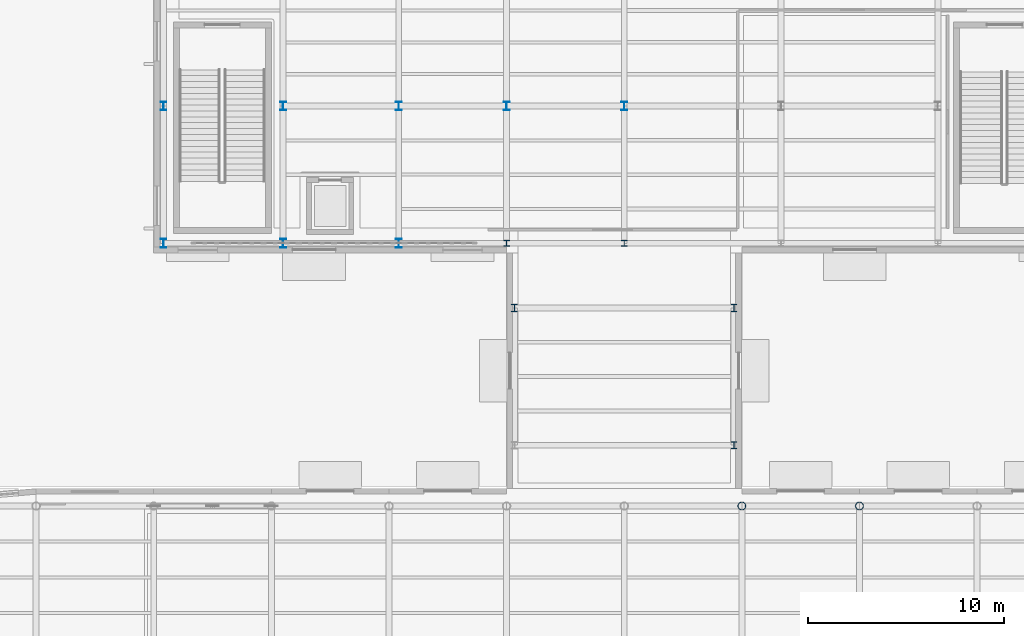
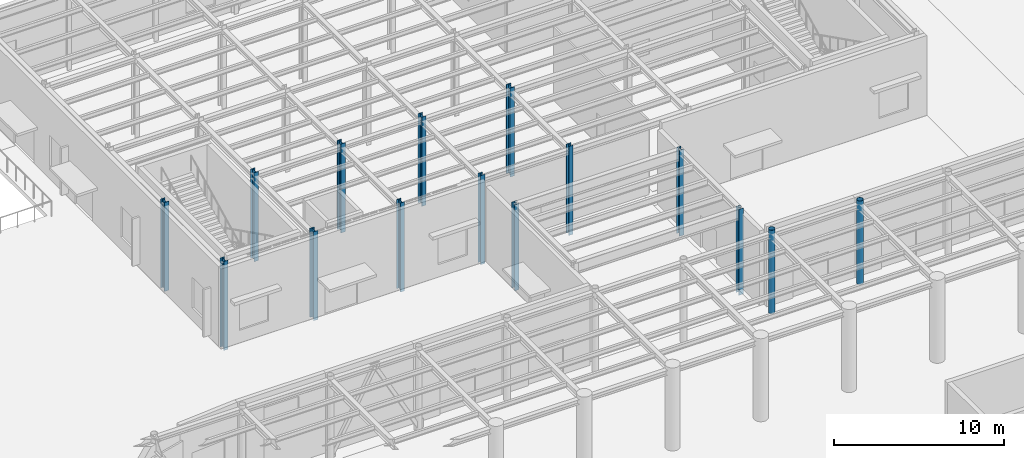
# One storey, part 9 of 118: 15 columns.
"""IFC4 building model written with IfcOpenShell, lengths in metres."""

from ifc_helpers import new_model, si_unit, direction, frame, origin, origin_2d, place, context, subcontext, project, spatial, hollow_circle, i_section, extrude, material, material_profile, profile_set, type_object, element, save


model = new_model("IFC4")

# Units and contexts
model_context = context("Model", 3, precision=1e-05, world=origin(), true_north=direction((0.0, 1.0)))
body_context = subcontext(model_context, "Body", "Model", "MODEL_VIEW")
ifc_project = project(units=[si_unit("LENGTHUNIT", "METRE"), si_unit("AREAUNIT", "SQUARE_METRE"), si_unit("VOLUMEUNIT", "CUBIC_METRE"), si_unit("PLANEANGLEUNIT", "RADIAN"), si_unit("MASSUNIT", "GRAM", prefix="KILO")], contexts=[model_context])

# Site, building, storey
site_placement = place(None, origin())
site = spatial("IfcSite", under=ifc_project, at=site_placement, CompositionType="ELEMENT")
building_placement = place(site_placement, origin())
building = spatial("IfcBuilding", under=site, at=building_placement, Name="Kolvaren Corner Interchange", CompositionType="ELEMENT")
storey_placement = place(building_placement, origin())
storey = spatial("IfcBuildingStorey", under=building, at=storey_placement, Name="L01", CompositionType="ELEMENT", Elevation=0.0)

# Columns
ifc_material_1 = material(Name="Steel S355", Category="steel")
ifc_material_profile_1 = material_profile(ifc_material_1, hollow_circle(Radius=0.203125, WallThickness=0.01611328125, at=origin_2d()), Name="CHS 406.4x16.0")
ifc_profile_set_1 = profile_set([ifc_material_profile_1], Name="Steel S355")
column_type_1 = type_object("IfcColumnType", Name="COL-CHS406", PredefinedType="COLUMN", material=ifc_profile_set_1)
for number, where, z_axis, x_axis, name in (
    (1, (96.0, 71.10009765625, 0.0), (0.0, 0.0, 1.0), (1.0, 0.0, 0.0), "Storey L01 Structural Column 0600"),
    (2, (102.0, 71.10009765625, 0.0), (0.0, 0.0, 1.0), (1.0, 0.0, 0.0), "Storey L01 Structural Column 0620"),
):
    element("IfcColumn", number, at=place(storey_placement, frame(where, z_axis=z_axis, x_axis=x_axis)), inside=storey, type_object=column_type_1, Name=name, PredefinedType="COLUMN", context=body_context, shape_type="SweptSolid", body=[
        extrude(hollow_circle(Radius=0.203125, WallThickness=0.01611328125, at=origin_2d()), origin(), (0.0, 0.0, 1.0), 6.0),
    ])
ifc_material_2 = material(Name="Steel S355", Category="steel")
ifc_material_profile_2 = material_profile(ifc_material_2, i_section(OverallWidth=0.300048828125, OverallDepth=0.360107421875, WebThickness=0.012451171875, FlangeThickness=0.0224609375, FilletRadius=0.027099609375, at=origin_2d()), Name="HEB 360")
ifc_profile_set_2 = profile_set([ifc_material_profile_2], Name="Steel S355")
column_type_2 = type_object("IfcColumnType", Name="COL-HEB360", PredefinedType="COLUMN", material=ifc_profile_set_2)
for number, where, z_axis, x_axis, name in (
    (3, (84.39990234375, 81.199951171875, -0.39990234375), (0.0, 0.0, 1.0), (1.0, 0.0, 0.0), "Storey L01 Structural Column 0937"),
    (4, (95.60009765625, 74.199951171875, -0.39990234375), (0.0, 0.0, 1.0), (1.0, 0.0, 0.0), "Storey L01 Structural Column 0938"),
    (5, (95.60009765625, 81.199951171875, -0.39990234375), (0.0, 0.0, 1.0), (1.0, 0.0, 0.0), "Storey L01 Structural Column 0939"),
):
    element("IfcColumn", number, at=place(storey_placement, frame(where, z_axis=z_axis, x_axis=x_axis)), inside=storey, type_object=column_type_2, Name=name, PredefinedType="COLUMN", context=body_context, shape_type="SweptSolid", body=[
        extrude(i_section(OverallWidth=0.300048828125, OverallDepth=0.360107421875, WebThickness=0.012451171875, FlangeThickness=0.0224609375, FilletRadius=0.027099609375, at=origin_2d()), origin(), (0.0, 0.0, 1.0), 6.179931640625),
    ])
ifc_material_3 = material(Name="Steel S355", Category="steel")
ifc_material_profile_3 = material_profile(ifc_material_3, i_section(OverallWidth=0.300048828125, OverallDepth=0.449951171875, WebThickness=0.013916015625, FlangeThickness=0.02587890625, FilletRadius=0.027099609375, at=origin_2d()), Name="HEB 450")
ifc_profile_set_3 = profile_set([ifc_material_profile_3], Name="Steel S355")
column_type_3 = type_object("IfcColumnType", Name="COL-HEB450", PredefinedType="COLUMN", material=ifc_profile_set_3)
for number, where, z_axis, x_axis, name in (
    (6, (66.5, 84.5, -0.39990234375), (0.0, 0.0, 1.0), (1.0, 0.0, 0.0), "Storey L01 Structural Column 0847"),
    (7, (66.5, 91.5, -0.39990234375), (0.0, 0.0, 1.0), (1.0, 0.0, 0.0), "Storey L01 Structural Column 0850"),
    (8, (72.60009765625, 84.5, -0.39990234375), (0.0, 0.0, 1.0), (1.0, 0.0, 0.0), "Storey L01 Structural Column 0860"),
    (9, (72.60009765625, 91.5, -0.39990234375), (0.0, 0.0, 1.0), (1.0, 0.0, 0.0), "Storey L01 Structural Column 0863"),
    (10, (78.5, 84.5, -0.39990234375), (0.0, 0.0, 1.0), (1.0, 0.0, 0.0), "Storey L01 Structural Column 0873"),
    (11, (78.5, 91.5, -0.39990234375), (0.0, 0.0, 1.0), (1.0, 0.0, 0.0), "Storey L01 Structural Column 0876"),
    (12, (84.0, 91.5, -0.39990234375), (0.0, 0.0, 1.0), (1.0, 0.0, 0.0), "Storey L01 Structural Column 0888"),
    (13, (90.0, 91.5, -0.39990234375), (0.0, 0.0, 1.0), (1.0, 0.0, 0.0), "Storey L01 Structural Column 0898"),
):
    element("IfcColumn", number, at=place(storey_placement, frame(where, z_axis=z_axis, x_axis=x_axis)), inside=storey, type_object=column_type_3, Name=name, PredefinedType="COLUMN", context=body_context, shape_type="SweptSolid", body=[
        extrude(i_section(OverallWidth=0.300048828125, OverallDepth=0.449951171875, WebThickness=0.013916015625, FlangeThickness=0.02587890625, FilletRadius=0.027099609375, at=origin_2d()), origin(), (0.0, 0.0, 1.0), 6.39990234375),
    ])
ifc_material_4 = material(Name="Steel S355", Category="steel")
ifc_material_profile_4 = material_profile(ifc_material_4, i_section(OverallWidth=0.300048828125, OverallDepth=0.300048828125, WebThickness=0.010986328125, FlangeThickness=0.01904296875, FilletRadius=0.027099609375, at=origin_2d()), Name="HEB 300")
ifc_profile_set_4 = profile_set([ifc_material_profile_4], Name="Steel S355")
column_type_4 = type_object("IfcColumnType", Name="PIL-HEB300", PredefinedType="PILASTER", material=ifc_profile_set_4)
for number, where, z_axis, x_axis, name in (
    (14, (84.0, 84.5, -0.39990234375), (0.0, 0.0, 1.0), (1.0, 0.0, 0.0), "Storey L01 Structural Column 0886"),
    (15, (90.0, 84.5, -0.39990234375), (0.0, 0.0, 1.0), (1.0, 0.0, 0.0), "Storey L01 Structural Column 0896"),
):
    element("IfcColumn", number, at=place(storey_placement, frame(where, z_axis=z_axis, x_axis=x_axis)), inside=storey, type_object=column_type_4, Name=name, PredefinedType="PILASTER", context=body_context, shape_type="SweptSolid", body=[
        extrude(i_section(OverallWidth=0.300048828125, OverallDepth=0.300048828125, WebThickness=0.010986328125, FlangeThickness=0.01904296875, FilletRadius=0.027099609375, at=origin_2d()), origin(), (0.0, 0.0, 1.0), 6.39990234375),
    ])

save(model, "model.ifc")
